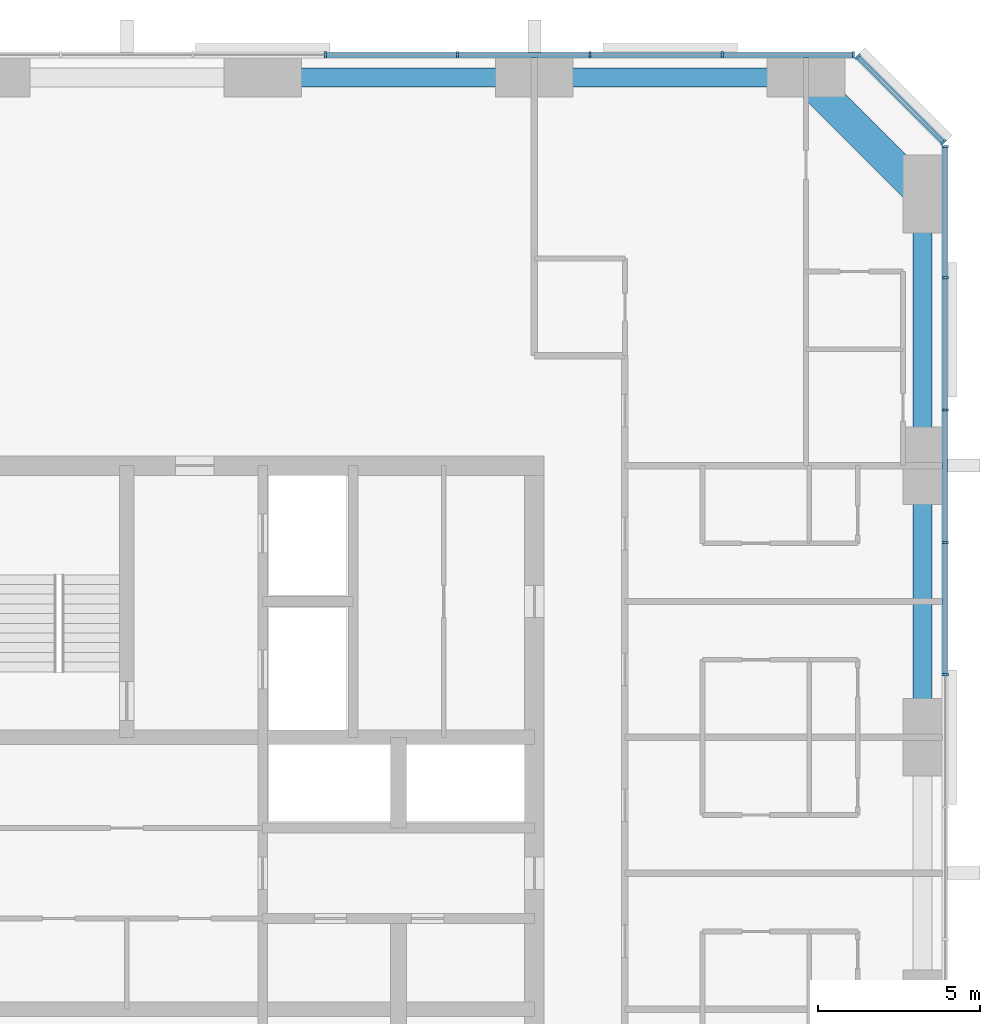
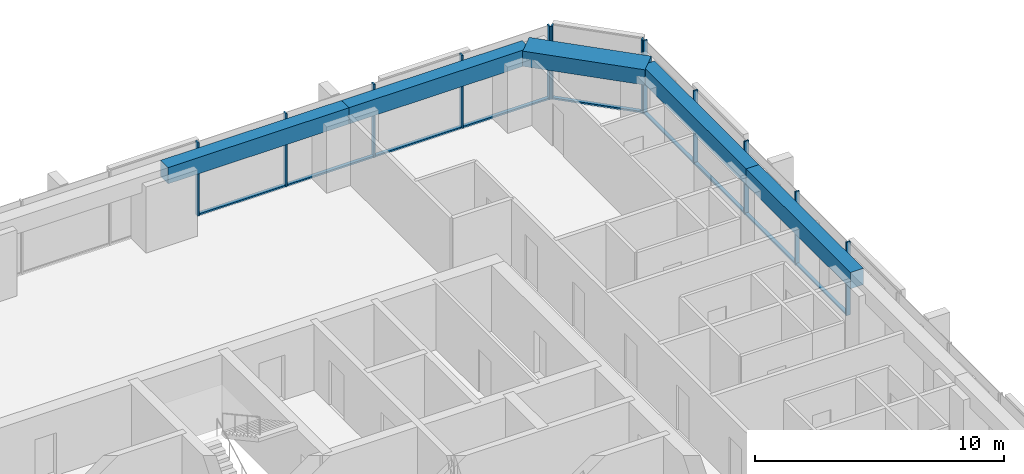
# One storey, part 6 of 14: 21 members, 5 beams, 3 elements without a shape of their own.
"""IFC4 building model written with IfcOpenShell, lengths in metres."""

from ifc_helpers import new_model, si_unit, direction, frame, origin, origin_2d, place, context, subcontext, project, spatial, rectangle, extrude, material, material_profile, profile_set, type_object, element, aggregate, save


model = new_model("IFC4")

# Units and contexts
model_context = context("Model", 3, precision=1e-05, world=origin(), true_north=direction((0.0, 1.0)))
body_context = subcontext(model_context, "Body", "Model", "MODEL_VIEW")
ifc_project = project(units=[si_unit("LENGTHUNIT", "METRE"), si_unit("AREAUNIT", "SQUARE_METRE"), si_unit("VOLUMEUNIT", "CUBIC_METRE"), si_unit("PLANEANGLEUNIT", "RADIAN"), si_unit("MASSUNIT", "GRAM", prefix="KILO")], contexts=[model_context])

# Site, building, storey
site_placement = place(None, origin())
site = spatial("IfcSite", under=ifc_project, at=site_placement, CompositionType="ELEMENT")
building_placement = place(site_placement, origin())
building = spatial("IfcBuilding", under=site, at=building_placement, Name="Dunama Terrace Hotel", CompositionType="ELEMENT")
storey_placement = place(building_placement, frame((0.0, 0.0, 184.199951171875)))
storey = spatial("IfcBuildingStorey", under=building, at=storey_placement, Name="L47", CompositionType="ELEMENT", Elevation=184.199951171875)

# Curtain wall, members
ifc_material_1 = material(Name="Aluminium curtain wall system", Category="aluminium")
curtain_wall_type = type_object("IfcCurtainWallType", Name="Unitised fritted glass wall CW-C", PredefinedType="NOTDEFINED", material=ifc_material_1)
curtain_wall_1_placement = place(storey_placement, origin())
curtain_wall_1 = element("IfcCurtainWall", 1, at=curtain_wall_1_placement, inside=storey, type_object=curtain_wall_type, Name="Unitised fritted glass wall CW-C L47", PredefinedType="NOTDEFINED")
ifc_material_2 = material(Name="Aluminium mullion", Category="aluminium")
ifc_material_profile_1 = material_profile(ifc_material_2, rectangle(XDim=0.070068359375, YDim=0.199951171875, at=origin_2d()), Name="CWC MULLION 70X200")
ifc_profile_set_1 = profile_set([ifc_material_profile_1], Name="Aluminium mullion")
member_type_1 = type_object("IfcMemberType", Name="CWC mullion 70x200", PredefinedType="MULLION", material=ifc_profile_set_1)
member_1_placement = place(storey_placement, frame((54.699951171875, 35.535888671875, 0.0), z_axis=(0.0, 0.0, 1.0), x_axis=(0.0, 1.0, 0.0)))
member_1 = element("IfcMember", 2, at=member_1_placement, type_object=member_type_1, Name="CWC mullion", PredefinedType="MULLION", context=body_context, shape_type="SweptSolid", body=[
    extrude(rectangle(XDim=0.070068359375, YDim=0.199951171875, at=origin_2d()), origin(), (0.0, 0.0, 1.0), 3.60009765625),
])
member_2_placement = place(storey_placement, frame((54.699951171875, 39.626953125, 0.0), z_axis=(0.0, 0.0, 1.0), x_axis=(0.0, 1.0, 0.0)))
member_2 = element("IfcMember", 3, at=member_2_placement, type_object=member_type_1, Name="CWC mullion", PredefinedType="MULLION", context=body_context, shape_type="SweptSolid", body=[
    extrude(rectangle(XDim=0.070068359375, YDim=0.199951171875, at=origin_2d()), origin(), (0.0, 0.0, 1.0), 3.60009765625),
])
member_3_placement = place(storey_placement, frame((54.699951171875, 43.718017578125, 0.0), z_axis=(0.0, 0.0, 1.0), x_axis=(0.0, 1.0, 0.0)))
member_3 = element("IfcMember", 4, at=member_3_placement, type_object=member_type_1, Name="CWC mullion", PredefinedType="MULLION", context=body_context, shape_type="SweptSolid", body=[
    extrude(rectangle(XDim=0.070068359375, YDim=0.199951171875, at=origin_2d()), origin(), (0.0, 0.0, 1.0), 3.60009765625),
])
member_4_placement = place(storey_placement, frame((54.699951171875, 47.80908203125, 0.0), z_axis=(0.0, 0.0, 1.0), x_axis=(0.0, 1.0, 0.0)))
member_4 = element("IfcMember", 5, at=member_4_placement, type_object=member_type_1, Name="CWC mullion", PredefinedType="MULLION", context=body_context, shape_type="SweptSolid", body=[
    extrude(rectangle(XDim=0.070068359375, YDim=0.199951171875, at=origin_2d()), origin(), (0.0, 0.0, 1.0), 3.60009765625),
])
member_5_placement = place(storey_placement, frame((54.699951171875, 51.864990234375, 0.0), z_axis=(0.0, 0.0, 1.0), x_axis=(0.0, 1.0, 0.0)))
member_5 = element("IfcMember", 6, at=member_5_placement, type_object=member_type_1, Name="CWC mullion", PredefinedType="MULLION", context=body_context, shape_type="SweptSolid", body=[
    extrude(rectangle(XDim=0.070068359375, YDim=0.199951171875, at=origin_2d()), origin(), (0.0, 0.0, 1.0), 3.60009765625),
])

curtain_wall_2_placement = place(storey_placement, origin())
curtain_wall_2 = element("IfcCurtainWall", 7, at=curtain_wall_2_placement, inside=storey, type_object=curtain_wall_type, Name="Unitised fritted glass wall CW-C L47", PredefinedType="NOTDEFINED")
member_6_placement = place(storey_placement, frame((54.64599609375, 51.9951171875, 0.0), z_axis=(0.0, 0.0, 1.0), x_axis=(-0.707106781187, 0.707106781187, 0.0)))
member_6 = element("IfcMember", 8, at=member_6_placement, type_object=member_type_1, Name="CWC mullion", PredefinedType="MULLION", context=body_context, shape_type="SweptSolid", body=[
    extrude(rectangle(XDim=0.070068359375, YDim=0.199951171875, at=origin_2d()), origin(), (0.0, 0.0, 1.0), 3.60009765625),
])
member_7_placement = place(storey_placement, frame((51.9951171875, 54.64599609375, 0.0), z_axis=(0.0, 0.0, 1.0), x_axis=(-0.707106781187, 0.707106781187, 0.0)))
member_7 = element("IfcMember", 9, at=member_7_placement, type_object=member_type_1, Name="CWC mullion", PredefinedType="MULLION", context=body_context, shape_type="SweptSolid", body=[
    extrude(rectangle(XDim=0.070068359375, YDim=0.199951171875, at=origin_2d()), origin(), (0.0, 0.0, 1.0), 3.60009765625),
])

curtain_wall_3_placement = place(storey_placement, origin())
curtain_wall_3 = element("IfcCurtainWall", 10, at=curtain_wall_3_placement, inside=storey, type_object=curtain_wall_type, Name="Unitised fritted glass wall CW-C L47", PredefinedType="NOTDEFINED")
member_8_placement = place(storey_placement, frame((51.864990234375, 54.699951171875, 0.0), z_axis=(0.0, 0.0, 1.0), x_axis=(-1.0, 0.0, 0.0)))
member_8 = element("IfcMember", 11, at=member_8_placement, type_object=member_type_1, Name="CWC mullion", PredefinedType="MULLION", context=body_context, shape_type="SweptSolid", body=[
    extrude(rectangle(XDim=0.070068359375, YDim=0.199951171875, at=origin_2d()), origin(), (0.0, 0.0, 1.0), 3.60009765625),
])
member_9_placement = place(storey_placement, frame((47.80908203125, 54.699951171875, 0.0), z_axis=(0.0, 0.0, 1.0), x_axis=(-1.0, 0.0, 0.0)))
member_9 = element("IfcMember", 12, at=member_9_placement, type_object=member_type_1, Name="CWC mullion", PredefinedType="MULLION", context=body_context, shape_type="SweptSolid", body=[
    extrude(rectangle(XDim=0.070068359375, YDim=0.199951171875, at=origin_2d()), origin(), (0.0, 0.0, 1.0), 3.60009765625),
])
member_10_placement = place(storey_placement, frame((43.718017578125, 54.699951171875, 0.0), z_axis=(0.0, 0.0, 1.0), x_axis=(-1.0, 0.0, 0.0)))
member_10 = element("IfcMember", 13, at=member_10_placement, type_object=member_type_1, Name="CWC mullion", PredefinedType="MULLION", context=body_context, shape_type="SweptSolid", body=[
    extrude(rectangle(XDim=0.070068359375, YDim=0.199951171875, at=origin_2d()), origin(), (0.0, 0.0, 1.0), 3.60009765625),
])
member_11_placement = place(storey_placement, frame((39.626953125, 54.699951171875, 0.0), z_axis=(0.0, 0.0, 1.0), x_axis=(-1.0, 0.0, 0.0)))
member_11 = element("IfcMember", 14, at=member_11_placement, type_object=member_type_1, Name="CWC mullion", PredefinedType="MULLION", context=body_context, shape_type="SweptSolid", body=[
    extrude(rectangle(XDim=0.070068359375, YDim=0.199951171875, at=origin_2d()), origin(), (0.0, 0.0, 1.0), 3.60009765625),
])
member_12_placement = place(storey_placement, frame((35.535888671875, 54.699951171875, 0.0), z_axis=(0.0, 0.0, 1.0), x_axis=(-1.0, 0.0, 0.0)))
member_12 = element("IfcMember", 15, at=member_12_placement, type_object=member_type_1, Name="CWC mullion", PredefinedType="MULLION", context=body_context, shape_type="SweptSolid", body=[
    extrude(rectangle(XDim=0.070068359375, YDim=0.199951171875, at=origin_2d()), origin(), (0.0, 0.0, 1.0), 3.60009765625),
])

# Member
ifc_material_3 = material(Name="Aluminium transom", Category="aluminium")
ifc_material_profile_2 = material_profile(ifc_material_3, rectangle(XDim=0.159912109375, YDim=0.080078125, at=origin_2d()), Name="CWC TRANSOM 160X80")
ifc_profile_set_2 = profile_set([ifc_material_profile_2], Name="Aluminium transom")
member_type_2 = type_object("IfcMemberType", Name="CWC transom 160x80", PredefinedType="USERDEFINED", material=ifc_profile_set_2)
member_13_placement = place(storey_placement, frame((54.699951171875, 35.571044921875, 0.0400390625), z_axis=(0.0, 1.0, 0.0), x_axis=(-1.0, 0.0, 0.0)))
member_13 = element("IfcMember", 16, at=member_13_placement, type_object=member_type_2, Name="CWC transom", ObjectType="TRANSOM", PredefinedType="USERDEFINED", context=body_context, shape_type="SweptSolid", body=[
    extrude(rectangle(XDim=0.159912109375, YDim=0.080078125, at=origin_2d()), origin(), (0.0, 0.0, 1.0), 4.02099609375),
])

member_14_placement = place(storey_placement, frame((54.699951171875, 39.662109375, 0.0400390625), z_axis=(0.0, 1.0, 0.0), x_axis=(-1.0, 0.0, 0.0)))
member_14 = element("IfcMember", 17, at=member_14_placement, type_object=member_type_2, Name="CWC transom", ObjectType="TRANSOM", PredefinedType="USERDEFINED", context=body_context, shape_type="SweptSolid", body=[
    extrude(rectangle(XDim=0.159912109375, YDim=0.080078125, at=origin_2d()), origin(), (0.0, 0.0, 1.0), 4.02099609375),
])

member_15_placement = place(storey_placement, frame((54.699951171875, 43.7529296875, 0.0400390625), z_axis=(0.0, 1.0, 0.0), x_axis=(-1.0, 0.0, 0.0)))
member_15 = element("IfcMember", 18, at=member_15_placement, type_object=member_type_2, Name="CWC transom", ObjectType="TRANSOM", PredefinedType="USERDEFINED", context=body_context, shape_type="SweptSolid", body=[
    extrude(rectangle(XDim=0.159912109375, YDim=0.080078125, at=origin_2d()), origin(), (0.0, 0.0, 1.0), 4.02099609375),
])

member_16_placement = place(storey_placement, frame((54.699951171875, 47.843994140625, 0.0400390625), z_axis=(0.0, 1.0, 0.0), x_axis=(-1.0, 0.0, 0.0)))
member_16 = element("IfcMember", 19, at=member_16_placement, type_object=member_type_2, Name="CWC transom", ObjectType="TRANSOM", PredefinedType="USERDEFINED", context=body_context, shape_type="SweptSolid", body=[
    extrude(rectangle(XDim=0.159912109375, YDim=0.080078125, at=origin_2d()), origin(), (0.0, 0.0, 1.0), 3.986083984375),
])

aggregate(curtain_wall_1, [member_1, member_2, member_3, member_4, member_5, member_13, member_14, member_15, member_16])

member_17_placement = place(storey_placement, frame((54.62109375, 52.02001953125, 0.0400390625), z_axis=(-0.707106781187, 0.707106781187, 0.0), x_axis=(-0.707106781187, -0.707106781187, 0.0)))
member_17 = element("IfcMember", 20, at=member_17_placement, type_object=member_type_2, Name="CWC transom", ObjectType="TRANSOM", PredefinedType="USERDEFINED", context=body_context, shape_type="SweptSolid", body=[
    extrude(rectangle(XDim=0.159912109375, YDim=0.080078125, at=origin_2d()), origin(), (0.0, 0.0, 1.0), 3.678466796875),
])

aggregate(curtain_wall_2, [member_6, member_7, member_17])

member_18_placement = place(storey_placement, frame((51.830078125, 54.699951171875, 0.0400390625), z_axis=(-1.0, 0.0, 0.0), x_axis=(0.0, -1.0, 0.0)))
member_18 = element("IfcMember", 21, at=member_18_placement, type_object=member_type_2, Name="CWC transom", ObjectType="TRANSOM", PredefinedType="USERDEFINED", context=body_context, shape_type="SweptSolid", body=[
    extrude(rectangle(XDim=0.159912109375, YDim=0.080078125, at=origin_2d()), origin(), (0.0, 0.0, 1.0), 3.986083984375),
])

member_19_placement = place(storey_placement, frame((47.77392578125, 54.699951171875, 0.0400390625), z_axis=(-1.0, 0.0, 0.0), x_axis=(0.0, -1.0, 0.0)))
member_19 = element("IfcMember", 22, at=member_19_placement, type_object=member_type_2, Name="CWC transom", ObjectType="TRANSOM", PredefinedType="USERDEFINED", context=body_context, shape_type="SweptSolid", body=[
    extrude(rectangle(XDim=0.159912109375, YDim=0.080078125, at=origin_2d()), origin(), (0.0, 0.0, 1.0), 4.02099609375),
])

member_20_placement = place(storey_placement, frame((43.68310546875, 54.699951171875, 0.0400390625), z_axis=(-1.0, 0.0, 0.0), x_axis=(0.0, -1.0, 0.0)))
member_20 = element("IfcMember", 23, at=member_20_placement, type_object=member_type_2, Name="CWC transom", ObjectType="TRANSOM", PredefinedType="USERDEFINED", context=body_context, shape_type="SweptSolid", body=[
    extrude(rectangle(XDim=0.159912109375, YDim=0.080078125, at=origin_2d()), origin(), (0.0, 0.0, 1.0), 4.02099609375),
])

member_21_placement = place(storey_placement, frame((39.592041015625, 54.699951171875, 0.0400390625), z_axis=(-1.0, 0.0, 0.0), x_axis=(0.0, -1.0, 0.0)))
member_21 = element("IfcMember", 24, at=member_21_placement, type_object=member_type_2, Name="CWC transom", ObjectType="TRANSOM", PredefinedType="USERDEFINED", context=body_context, shape_type="SweptSolid", body=[
    extrude(rectangle(XDim=0.159912109375, YDim=0.080078125, at=origin_2d()), origin(), (0.0, 0.0, 1.0), 4.02099609375),
])

aggregate(curtain_wall_3, [member_8, member_9, member_10, member_11, member_12, member_18, member_19, member_20, member_21])

# Beams
ifc_material_4 = material(Name="Concrete C50/60", Category="concrete")
ifc_material_profile_3 = material_profile(ifc_material_4, rectangle(XDim=1.0, YDim=0.75, at=origin_2d()), Name="RC 1000x750")
ifc_profile_set_3 = profile_set([ifc_material_profile_3], Name="Concrete C50/60")
beam_type_1 = type_object("IfcBeamType", Name="Edge beam RC 1000x750", PredefinedType="SPANDREL", material=ifc_profile_set_3)
beam_placement = place(storey_placement, frame((50.39990234375, 54.0, 3.22509765625), z_axis=(0.707106781187, -0.707106781187, 0.0), x_axis=(0.707106781187, 0.707106781187, 0.0)))
element("IfcBeam", 25, at=beam_placement, inside=storey, type_object=beam_type_1, Name="Corner edge beam under L48", PredefinedType="SPANDREL", context=body_context, shape_type="SweptSolid", body=[
    extrude(rectangle(XDim=1.0, YDim=0.75, at=origin_2d()), origin(), (0.0, 0.0, 1.0), 5.09130859375),
])
ifc_material_5 = material(Name="Concrete C40/50", Category="concrete")
ifc_material_profile_4 = material_profile(ifc_material_5, rectangle(XDim=0.60009765625, YDim=0.800048828125, at=origin_2d()), Name="RC 600x800")
ifc_profile_set_4 = profile_set([ifc_material_profile_4], Name="Concrete C40/50")
beam_type_2 = type_object("IfcBeamType", Name="Edge beam RC 600x800", PredefinedType="SPANDREL", material=ifc_profile_set_4)
for number, where, z_axis, x_axis, name in (
    (26, (54.0, 33.60009765625, 3.199951171875), (0.0, 1.0, 0.0), (-1.0, 0.0, 0.0), "Edge beam under L48"),
    (27, (54.0, 42.0, 3.199951171875), (0.0, 1.0, 0.0), (-1.0, 0.0, 0.0), "Edge beam under L48"),
    (28, (33.60009765625, 54.0, 3.199951171875), (1.0, 0.0, 0.0), (0.0, 1.0, 0.0), "Edge beam under L48"),
    (29, (42.0, 54.0, 3.199951171875), (1.0, 0.0, 0.0), (0.0, 1.0, 0.0), "Edge beam under L48"),
):
    element("IfcBeam", number, at=place(storey_placement, frame(where, z_axis=z_axis, x_axis=x_axis)), inside=storey, type_object=beam_type_2, Name=name, PredefinedType="SPANDREL", context=body_context, shape_type="SweptSolid", body=[
        extrude(rectangle(XDim=0.60009765625, YDim=0.800048828125, at=origin_2d()), origin(), (0.0, 0.0, 1.0), 8.39990234375),
    ])

save(model, "model.ifc")
